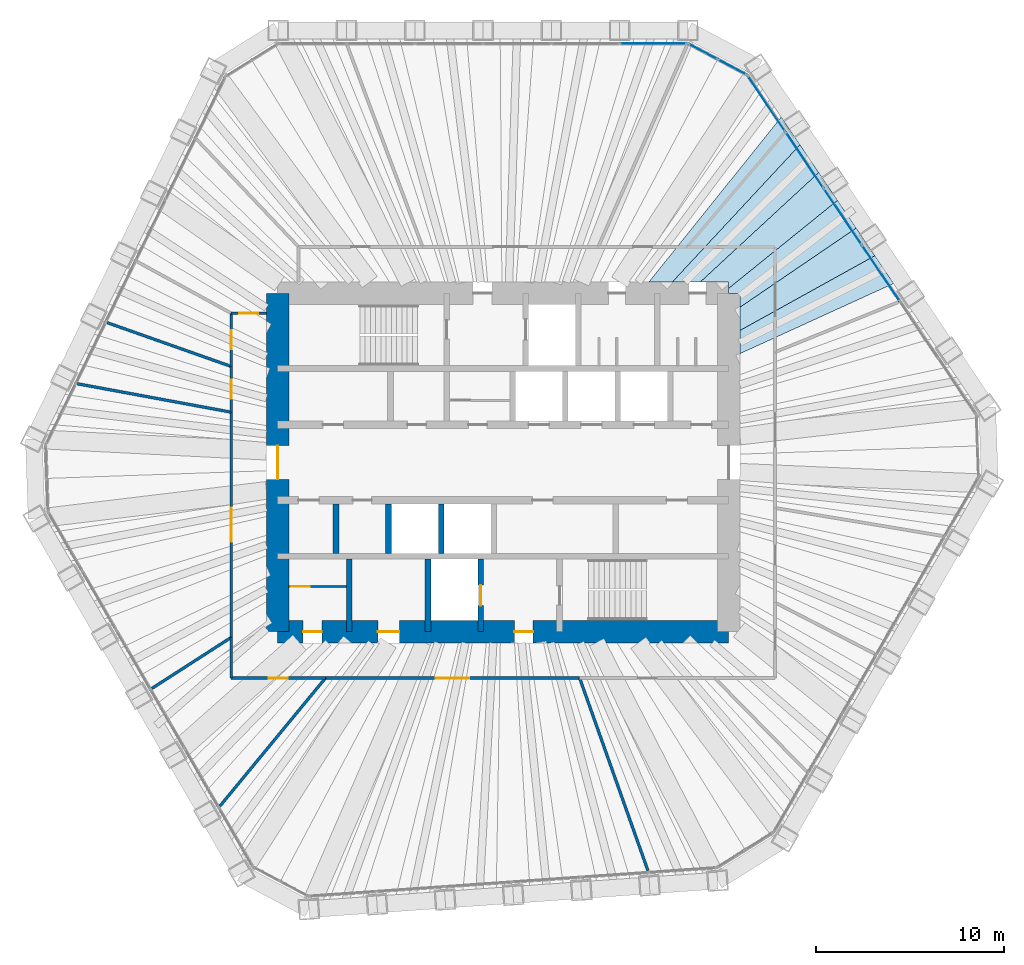
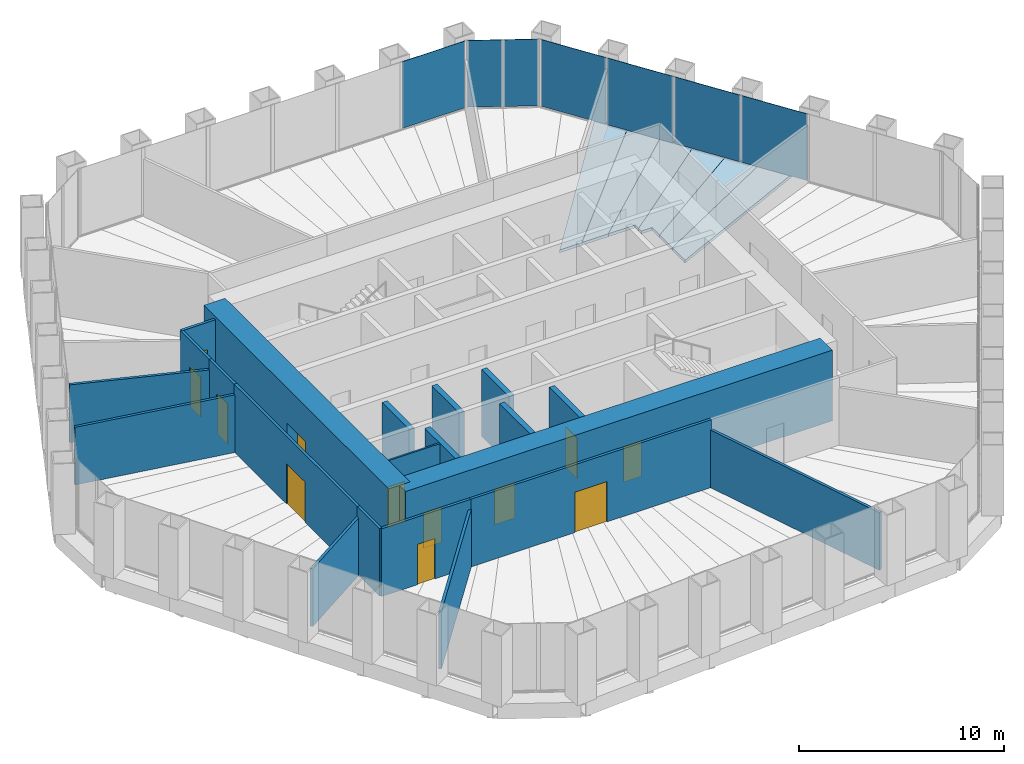
# One storey, part 9 of 12: 21 walls, 12 doors, 7 plates, 6 slabs, 12 openings, 3 elements without a shape of their own.
"""IFC4 building model written with IfcOpenShell, lengths in metres."""

from ifc_helpers import new_model, si_unit, direction, frame, frame_2d, origin, origin_2d, place, context, subcontext, project, spatial, polyline, rectangle, outline, extrude, material, layer, layer_set, type_object, element, fill, aggregate, save


model = new_model("IFC4")

# Units and contexts
model_context = context("Model", 3, precision=1e-05, world=origin(), true_north=direction((0.0, 1.0)))
body_context = subcontext(model_context, "Body", "Model", "MODEL_VIEW")
ifc_project = project(units=[si_unit("LENGTHUNIT", "METRE"), si_unit("AREAUNIT", "SQUARE_METRE"), si_unit("VOLUMEUNIT", "CUBIC_METRE"), si_unit("PLANEANGLEUNIT", "RADIAN"), si_unit("MASSUNIT", "GRAM", prefix="KILO")], contexts=[model_context])

# Site, building, storey
site_placement = place(None, origin())
site = spatial("IfcSite", under=ifc_project, at=site_placement, CompositionType="ELEMENT")
building_placement = place(site_placement, origin())
building = spatial("IfcBuilding", under=site, at=building_placement, Name="Qingtian Harvest Tower", CompositionType="ELEMENT")
storey_placement = place(building_placement, frame((0.0, 0.0, 184.60009765625)))
storey = spatial("IfcBuildingStorey", under=building, at=storey_placement, Name="L39", CompositionType="ELEMENT", Elevation=184.60009765625)

# Slabs
ifc_material_1 = material(Name="Concrete fc' 35 MPa", Category="concrete")
ifc_layer_1 = layer(ifc_material_1, 0.169921875)
ifc_layer_set_1 = layer_set([ifc_layer_1], Name="Composite floor slab FS17 170")
slab_type = type_object("IfcSlabType", Name="Composite floor slab FS17 170", PredefinedType="FLOOR", material=ifc_layer_set_1)
slab_1_placement = place(storey_placement, frame((0.0, 0.0, -0.170166015625)))
element("IfcSlab", 1, at=slab_1_placement, inside=storey, type_object=slab_type, Name="Floor slab L39 panel D45", PredefinedType="FLOOR", context=body_context, shape_type="SweptSolid", body=[
    extrude(outline(polyline([(12.60009765625, 7.023681640625), (19.7841796875, 11.003662109375), (20.780517578125, 9.526611328125), (12.60009765625, 5.7900390625), (12.60009765625, 7.023681640625)])), origin(), (0.0, 0.0, 1.0), 0.170166015625),
])
slab_2_placement = place(storey_placement, frame((0.0, 0.0, -0.170166015625)))
element("IfcSlab", 2, at=slab_2_placement, inside=storey, type_object=slab_type, Name="Floor slab L39 panel D46", PredefinedType="FLOOR", context=body_context, shape_type="SweptSolid", body=[
    extrude(outline(polyline([(12.60009765625, 8.260498046875), (18.791259765625, 12.475830078125), (19.7841796875, 11.003662109375), (12.60009765625, 7.023681640625), (12.60009765625, 8.260498046875)])), origin(), (0.0, 0.0, 1.0), 0.170166015625),
])
slab_3_placement = place(storey_placement, frame((0.0, 0.0, -0.170166015625)))
element("IfcSlab", 3, at=slab_3_placement, inside=storey, type_object=slab_type, Name="Floor slab L39 panel D47", PredefinedType="FLOOR", context=body_context, shape_type="SweptSolid", body=[
    extrude(outline(polyline([(12.60009765625, 9.0), (12.0, 9.0), (12.0, 9.2666015625), (17.795654296875, 13.95166015625), (18.791259765625, 12.475830078125), (12.60009765625, 8.260498046875), (12.60009765625, 9.0)])), origin(), (0.0, 0.0, 1.0), 0.170166015625),
])
slab_4_placement = place(storey_placement, frame((0.0, 0.0, -0.170166015625)))
element("IfcSlab", 4, at=slab_4_placement, inside=storey, type_object=slab_type, Name="Floor slab L39 panel D48", PredefinedType="FLOOR", context=body_context, shape_type="SweptSolid", body=[
    extrude(outline(polyline([(12.0, 9.60009765625), (10.48583984375, 9.60009765625), (16.79638671875, 15.43310546875), (17.795654296875, 13.95166015625), (12.0, 9.2666015625), (12.0, 9.60009765625)])), origin(), (0.0, 0.0, 1.0), 0.170166015625),
])
slab_5_placement = place(storey_placement, frame((0.0, 0.0, -0.170166015625)))
element("IfcSlab", 5, at=slab_5_placement, inside=storey, type_object=slab_type, Name="Floor slab L39 panel D49", PredefinedType="FLOOR", context=body_context, shape_type="SweptSolid", body=[
    extrude(outline(polyline([(8.998291015625, 9.60009765625), (15.800048828125, 16.910400390625), (16.79638671875, 15.43310546875), (10.48583984375, 9.60009765625), (8.998291015625, 9.60009765625)])), origin(), (0.0, 0.0, 1.0), 0.170166015625),
])
slab_6_placement = place(storey_placement, frame((0.0, 0.0, -0.170166015625)))
element("IfcSlab", 6, at=slab_6_placement, inside=storey, type_object=slab_type, Name="Floor slab L39 panel D50", PredefinedType="FLOOR", context=body_context, shape_type="SweptSolid", body=[
    extrude(outline(polyline([(7.751220703125, 9.60009765625), (14.8037109375, 18.3876953125), (15.800048828125, 16.910400390625), (8.998291015625, 9.60009765625), (7.751220703125, 9.60009765625)])), origin(), (0.0, 0.0, 1.0), 0.170166015625),
])

# Curtain wall, plate
ifc_material_2 = material(Name="Bronze-anodised aluminium curtain wall", Category="aluminium")
curtain_wall_type = type_object("IfcCurtainWallType", Name="Curtain wall CW4 office", PredefinedType="USERDEFINED", material=ifc_material_2)
curtain_wall_1_placement = place(storey_placement, origin())
curtain_wall_1 = element("IfcCurtainWall", 7, at=curtain_wall_1_placement, inside=storey, type_object=curtain_wall_type, Name="Curtain wall CW4 L39 N0-5", ObjectType="RECESSED CURTAIN WALL", PredefinedType="USERDEFINED")
ifc_material_3 = material(Name="Bronze-tinted laminated insulating glass", Category="glass")
ifc_layer_2 = layer(ifc_material_3, 0.030029296875)
ifc_layer_set_2 = layer_set([ifc_layer_2], Name="Glazed panel CWP tinted IGU")
plate_type = type_object("IfcPlateType", Name="Glazed panel CWP tinted IGU", PredefinedType="CURTAIN_PANEL", material=ifc_layer_set_2)
plate_1_placement = place(storey_placement, frame((7.996337890625, 22.300048828125, 0.06494140625), z_axis=(0.0, 0.0, 1.0), x_axis=(1.0, 0.0, 0.0)))
plate_1 = element("IfcPlate", 8, at=plate_1_placement, type_object=plate_type, Name="CW4 panel 6.1", PredefinedType="CURTAIN_PANEL", context=body_context, shape_type="SweptSolid", body=[
    extrude(rectangle(XDim=3.5361328125, YDim=0.030029296875, at=origin_2d()), origin(), (0.0, 0.0, 1.0), 3.965087890625),
])
aggregate(curtain_wall_1, [plate_1])

# Curtain wall, plates
curtain_wall_2_placement = place(storey_placement, origin())
curtain_wall_2 = element("IfcCurtainWall", 9, at=curtain_wall_2_placement, inside=storey, type_object=curtain_wall_type, Name="Curtain wall CW4 L39 NC", ObjectType="RECESSED CURTAIN WALL", PredefinedType="USERDEFINED")
plate_2_placement = place(storey_placement, frame((10.634033203125, 21.8720703125, 0.06494140625), z_axis=(0.0, 0.0, 1.0), x_axis=(0.882947592859, -0.469471562786, 0.0)))
plate_2 = element("IfcPlate", 10, at=plate_2_placement, type_object=plate_type, Name="CW4 panel 1.1", PredefinedType="CURTAIN_PANEL", context=body_context, shape_type="SweptSolid", body=[
    extrude(rectangle(XDim=1.69287109375, YDim=0.030029296875, at=origin_2d()), origin(), (0.0, 0.0, 1.0), 3.965087890625),
])
plate_3_placement = place(storey_placement, frame((12.186279296875, 21.046875, 0.06494140625), z_axis=(0.0, 0.0, 1.0), x_axis=(0.882947592859, -0.469471562786, 0.0)))
plate_3 = element("IfcPlate", 11, at=plate_3_placement, type_object=plate_type, Name="CW4 panel 2.1", PredefinedType="CURTAIN_PANEL", context=body_context, shape_type="SweptSolid", body=[
    extrude(rectangle(XDim=1.69287109375, YDim=0.030029296875, at=origin_2d()), origin(), (0.0, 0.0, 1.0), 3.965087890625),
])
aggregate(curtain_wall_2, [plate_2, plate_3])

curtain_wall_3_placement = place(storey_placement, origin())
curtain_wall_3 = element("IfcCurtainWall", 12, at=curtain_wall_3_placement, inside=storey, type_object=curtain_wall_type, Name="Curtain wall CW4 L39 NE0-5", ObjectType="RECESSED CURTAIN WALL", PredefinedType="USERDEFINED")
plate_4_placement = place(storey_placement, frame((14.01611328125, 19.09912109375, 0.06494140625), z_axis=(0.0, 0.0, 1.0), x_axis=(0.559192903471, -0.829037572555, 0.0)))
plate_4 = element("IfcPlate", 13, at=plate_4_placement, type_object=plate_type, Name="CW4 panel 1.1", PredefinedType="CURTAIN_PANEL", context=body_context, shape_type="SweptSolid", body=[
    extrude(rectangle(XDim=3.5361328125, YDim=0.030029296875, at=origin_2d()), origin(), (0.0, 0.0, 1.0), 3.965087890625),
])
plate_5_placement = place(storey_placement, frame((16.038818359375, 16.100341796875, 0.06494140625), z_axis=(0.0, 0.0, 1.0), x_axis=(0.559192903471, -0.829037572555, 0.0)))
plate_5 = element("IfcPlate", 14, at=plate_5_placement, type_object=plate_type, Name="CW4 panel 2.1", PredefinedType="CURTAIN_PANEL", context=body_context, shape_type="SweptSolid", body=[
    extrude(rectangle(XDim=3.568603515625, YDim=0.030029296875, at=origin_2d()), origin(), (0.0, 0.0, 1.0), 3.965087890625),
])
plate_6_placement = place(storey_placement, frame((18.07080078125, 13.087890625, 0.06494140625), z_axis=(0.0, 0.0, 1.0), x_axis=(0.559192903471, -0.829037572555, 0.0)))
plate_6 = element("IfcPlate", 15, at=plate_6_placement, type_object=plate_type, Name="CW4 panel 3.1", PredefinedType="CURTAIN_PANEL", context=body_context, shape_type="SweptSolid", body=[
    extrude(rectangle(XDim=3.568603515625, YDim=0.030029296875, at=origin_2d()), origin(), (0.0, 0.0, 1.0), 3.965087890625),
])
plate_7_placement = place(storey_placement, frame((20.1025390625, 10.07568359375, 0.06494140625), z_axis=(0.0, 0.0, 1.0), x_axis=(0.559192903471, -0.829037572555, 0.0)))
plate_7 = element("IfcPlate", 16, at=plate_7_placement, type_object=plate_type, Name="CW4 panel 4.1", PredefinedType="CURTAIN_PANEL", context=body_context, shape_type="SweptSolid", body=[
    extrude(rectangle(XDim=3.568603515625, YDim=0.030029296875, at=origin_2d()), origin(), (0.0, 0.0, 1.0), 3.965087890625),
])
aggregate(curtain_wall_3, [plate_4, plate_5, plate_6, plate_7])

# Walls
ifc_material_4 = material(Name="Precast concrete shaft panel", Category="concrete")
ifc_layer_3 = layer(ifc_material_4, 0.300048828125)
ifc_layer_set_3 = layer_set([ifc_layer_3], Name="Core shaft partition SW1 300")
wall_type_1 = type_object("IfcWallType", Name="Core shaft partition SW1 300", PredefinedType="PARTITIONING", material=ifc_layer_set_3)
for number, where, z_axis, x_axis, name in (
    (17, (-8.89990234375, -4.85009765625, 0.0), (0.0, 0.0, 1.0), (0.0, 1.0, 0.0), "Core shaft partition XB1 L39"),
    (18, (-6.10009765625, -4.85009765625, 0.0), (0.0, 0.0, 1.0), (0.0, 1.0, 0.0), "Core shaft partition XB2 L39"),
    (19, (-3.300048828125, -4.85009765625, 0.0), (0.0, 0.0, 1.0), (0.0, 1.0, 0.0), "Core shaft partition XB3 L39"),
):
    element("IfcWall", number, at=place(storey_placement, frame(where, z_axis=z_axis, x_axis=x_axis)), inside=storey, type_object=wall_type_1, Name=name, PredefinedType="PARTITIONING", context=body_context, shape_type="SweptSolid", body=[
        extrude(rectangle(XDim=2.650146484375, YDim=0.300048828125, at=frame_2d((1.3251953125, 0.0))), origin(), (0.0, 0.0, 1.0), 3.97998046875),
    ])
for number, where, z_axis, x_axis, name in (
    (20, (-8.199951171875, -9.0, 0.0), (0.0, 0.0, 1.0), (0.0, 1.0, 0.0), "Core shaft partition XS1 L39"),
    (21, (-4.0, -9.0, 0.0), (0.0, 0.0, 1.0), (0.0, 1.0, 0.0), "Core shaft partition XS2 L39"),
):
    element("IfcWall", number, at=place(storey_placement, frame(where, z_axis=z_axis, x_axis=x_axis)), inside=storey, type_object=wall_type_1, Name=name, PredefinedType="PARTITIONING", context=body_context, shape_type="SweptSolid", body=[
        extrude(rectangle(XDim=3.85009765625, YDim=0.300048828125, at=frame_2d((1.925048828125, 0.0))), origin(), (0.0, 0.0, 1.0), 3.97998046875),
    ])

# Wall, opening, door
wall_1_placement = place(storey_placement, frame((-1.199951171875, -9.0, 0.0), z_axis=(0.0, 0.0, 1.0), x_axis=(0.0, 1.0, 0.0)))
wall_1 = element("IfcWall", 22, at=wall_1_placement, inside=storey, type_object=wall_type_1, Name="Core shaft partition XS3 L39", PredefinedType="PARTITIONING", context=body_context, shape_type="SweptSolid", body=[
    extrude(rectangle(XDim=3.85009765625, YDim=0.300048828125, at=frame_2d((1.925048828125, 0.0))), origin(), (0.0, 0.0, 1.0), 3.97998046875),
])
opening_1_placement = place(wall_1_placement, frame((1.375, 0.0, 0.0)))
opening_1 = element("IfcOpeningElement", 23, at=opening_1_placement, cuts=wall_1, Name="Opening LD1", PredefinedType="OPENING", context=body_context, shape_type="SweptSolid", body=[
    extrude(rectangle(XDim=1.10009765625, YDim=2.39990234375, at=frame_2d((0.550048828125, 1.199951171875))), frame((0.0, 0.159912109375, 0.0), z_axis=(0.0, -1.0, 0.0), x_axis=(1.0, 0.0, 0.0)), (0.0, 0.0, 1.0), 0.320068359375),
])
ifc_material_5 = material(Name="Stainless steel lift landing door", Category="steel")
door_type_1 = type_object("IfcDoorType", Name="Lift landing door LD1 1 HR", OperationType="DOUBLE_DOOR_SLIDING", PredefinedType="DOOR", material=ifc_material_5)
door_1_placement = place(opening_1_placement, origin())
door_1 = element("IfcDoor", 24, at=door_1_placement, inside=storey, type_object=door_type_1, Name="FL2 landing door L39", OperationType="DOUBLE_DOOR_SLIDING", OverallHeight=2.39990234375, OverallWidth=1.10009765625, PredefinedType="DOOR", context=body_context, shape_type="SweptSolid", body=[
    extrude(rectangle(XDim=1.10009765625, YDim=2.39990234375, at=frame_2d((0.550048828125, 1.199951171875))), frame((0.0, 0.02490234375, 0.0), z_axis=(0.0, -1.0, 0.0), x_axis=(1.0, 0.0, 0.0)), (0.0, 0.0, 1.0), 0.050048828125),
])
fill(opening_1, door_1)

# Wall, openings, doors
ifc_material_6 = material(Name="Concrete fc' 70 MPa", Category="concrete")
ifc_layer_4 = layer(ifc_material_6, 1.199951171875)
ifc_layer_set_4 = layer_set([ifc_layer_4], Name="Core wall RC2 1200")
wall_type_2 = type_object("IfcWallType", Name="Core wall RC2 1200", PredefinedType="SHEAR", material=ifc_layer_set_4)
wall_2_placement = place(storey_placement, frame((-12.0, -9.0, 0.0), z_axis=(0.0, 0.0, 1.0), x_axis=(1.0, 0.0, 0.0)))
wall_2 = element("IfcWall", 25, at=wall_2_placement, inside=storey, type_object=wall_type_2, Name="Core wall CS L39", PredefinedType="SHEAR", context=body_context, shape_type="SweptSolid", body=[
    extrude(rectangle(XDim=24.0, YDim=1.199951171875, at=frame_2d((12.0, 0.0))), origin(), (0.0, 0.0, 1.0), 4.199951171875),
])
opening_2_placement = place(wall_2_placement, frame((1.35009765625, 0.0, 0.0)))
opening_2 = element("IfcOpeningElement", 26, at=opening_2_placement, cuts=wall_2, Name="Opening FD1", PredefinedType="OPENING", context=body_context, shape_type="SweptSolid", body=[
    extrude(rectangle(XDim=1.0, YDim=2.10009765625, at=frame_2d((0.5, 1.050048828125))), frame((0.0, 0.60986328125, 0.0), z_axis=(0.0, -1.0, 0.0), x_axis=(1.0, 0.0, 0.0)), (0.0, 0.0, 1.0), 1.219970703125),
])
opening_3_placement = place(wall_2_placement, frame((5.324951171875, 0.0, 0.0)))
opening_3 = element("IfcOpeningElement", 27, at=opening_3_placement, cuts=wall_2, Name="Opening AD1", PredefinedType="OPENING", context=body_context, shape_type="SweptSolid", body=[
    extrude(rectangle(XDim=1.14990234375, YDim=2.10009765625, at=frame_2d((0.574951171875, 1.050048828125))), frame((0.0, 0.60986328125, 0.0), z_axis=(0.0, -1.0, 0.0), x_axis=(1.0, 0.0, 0.0)), (0.0, 0.0, 1.0), 1.219970703125),
])
opening_4_placement = place(wall_2_placement, frame((12.60009765625, 0.0, 0.0)))
opening_4 = element("IfcOpeningElement", 28, at=opening_4_placement, cuts=wall_2, Name="Opening FD1", PredefinedType="OPENING", context=body_context, shape_type="SweptSolid", body=[
    extrude(rectangle(XDim=1.0, YDim=2.10009765625, at=frame_2d((0.5, 1.050048828125))), frame((0.0, 0.60986328125, 0.0), z_axis=(0.0, -1.0, 0.0), x_axis=(1.0, 0.0, 0.0)), (0.0, 0.0, 1.0), 1.219970703125),
])
ifc_material_7 = material(Name="Laminated timber door leaf", Category="wood")
door_type_2 = type_object("IfcDoorType", Name="Accessible WC door AD1 single", OperationType="SINGLE_SWING_LEFT", PredefinedType="DOOR", material=ifc_material_7)
door_2_placement = place(opening_3_placement, origin())
door_2 = element("IfcDoor", 29, at=door_2_placement, inside=storey, type_object=door_type_2, Name="AWC door L39", OperationType="SINGLE_SWING_LEFT", OverallHeight=2.10009765625, OverallWidth=1.14990234375, PredefinedType="DOOR", context=body_context, shape_type="SweptSolid", body=[
    extrude(rectangle(XDim=1.14990234375, YDim=2.10009765625, at=frame_2d((0.574951171875, 1.050048828125))), frame((0.0, 0.02490234375, 0.0), z_axis=(0.0, -1.0, 0.0), x_axis=(1.0, 0.0, 0.0)), (0.0, 0.0, 1.0), 0.050048828125),
])
fill(opening_3, door_2)
ifc_material_8 = material(Name="Steel-faced door leaf", Category="steel")
door_type_3 = type_object("IfcDoorType", Name="Fire door FD1 single 1 HR", OperationType="SINGLE_SWING_LEFT", PredefinedType="DOOR", material=ifc_material_8)
door_3_placement = place(opening_2_placement, origin())
door_3 = element("IfcDoor", 30, at=door_3_placement, inside=storey, type_object=door_type_3, Name="CLN door L39", OperationType="SINGLE_SWING_LEFT", OverallHeight=2.10009765625, OverallWidth=1.0, PredefinedType="DOOR", context=body_context, shape_type="SweptSolid", body=[
    extrude(rectangle(XDim=1.0, YDim=2.10009765625, at=frame_2d((0.5, 1.050048828125))), frame((0.0, 0.02490234375, 0.0), z_axis=(0.0, -1.0, 0.0), x_axis=(1.0, 0.0, 0.0)), (0.0, 0.0, 1.0), 0.050048828125),
])
fill(opening_2, door_3)
door_4_placement = place(opening_4_placement, origin())
door_4 = element("IfcDoor", 31, at=door_4_placement, inside=storey, type_object=door_type_3, Name="V2 door L39", OperationType="SINGLE_SWING_LEFT", OverallHeight=2.10009765625, OverallWidth=1.0, PredefinedType="DOOR", context=body_context, shape_type="SweptSolid", body=[
    extrude(rectangle(XDim=1.0, YDim=2.10009765625, at=frame_2d((0.5, 1.050048828125))), frame((0.0, 0.02490234375, 0.0), z_axis=(0.0, -1.0, 0.0), x_axis=(1.0, 0.0, 0.0)), (0.0, 0.0, 1.0), 0.050048828125),
])
fill(opening_4, door_4)

# Wall, opening, door
wall_3_placement = place(storey_placement, frame((-12.0, -9.0, 0.0), z_axis=(0.0, 0.0, 1.0), x_axis=(0.0, 1.0, 0.0)))
wall_3 = element("IfcWall", 32, at=wall_3_placement, inside=storey, type_object=wall_type_2, Name="Core wall CW L39", PredefinedType="SHEAR", context=body_context, shape_type="SweptSolid", body=[
    extrude(rectangle(XDim=18.0, YDim=1.199951171875, at=frame_2d((9.0, 0.0))), origin(), (0.0, 0.0, 1.0), 4.199951171875),
])
opening_5_placement = place(wall_3_placement, frame((8.10009765625, 0.0, 0.0)))
opening_5 = element("IfcOpeningElement", 33, at=opening_5_placement, cuts=wall_3, Name="Opening FD2", PredefinedType="OPENING", context=body_context, shape_type="SweptSolid", body=[
    extrude(rectangle(XDim=1.800048828125, YDim=2.10009765625, at=frame_2d((0.89990234375, 1.050048828125))), frame((0.0, 0.60986328125, 0.0), z_axis=(0.0, -1.0, 0.0), x_axis=(1.0, 0.0, 0.0)), (0.0, 0.0, 1.0), 1.219970703125),
])
ifc_material_9 = material(Name="Steel-faced door leaf", Category="steel")
door_type_4 = type_object("IfcDoorType", Name="Fire door FD2 double 1 HR", OperationType="DOUBLE_DOOR_DOUBLE_SWING", PredefinedType="DOOR", material=ifc_material_9)
door_5_placement = place(opening_5_placement, origin())
door_5 = element("IfcDoor", 34, at=door_5_placement, inside=storey, type_object=door_type_4, Name="LOBBY-W door L39", OperationType="DOUBLE_DOOR_DOUBLE_SWING", OverallHeight=2.10009765625, OverallWidth=1.800048828125, PredefinedType="DOOR", context=body_context, shape_type="SweptSolid", body=[
    extrude(rectangle(XDim=1.800048828125, YDim=2.10009765625, at=frame_2d((0.89990234375, 1.050048828125))), frame((0.0, 0.02490234375, 0.0), z_axis=(0.0, -1.0, 0.0), x_axis=(1.0, 0.0, 0.0)), (0.0, 0.0, 1.0), 0.050048828125),
])
fill(opening_5, door_5)

# Wall
ifc_material_10 = material(Name="Gypsum board on steel studs", Category="steel")
ifc_layer_5 = layer(ifc_material_10, 0.14990234375)
ifc_layer_set_5 = layer_set([ifc_layer_5], Name="Partition PT1 150")
wall_type_3 = type_object("IfcWallType", Name="Partition PT1 150", PredefinedType="PARTITIONING", material=ifc_layer_set_5)
wall_4_placement = place(storey_placement, frame((-22.660888671875, 4.188720703125, 0.0), z_axis=(0.0, 0.0, 1.0), x_axis=(0.983345347199, -0.181746879316, 0.0)))
element("IfcWall", 35, at=wall_4_placement, inside=storey, type_object=wall_type_3, Name="Private office wall L39", PredefinedType="PARTITIONING", context=body_context, shape_type="SweptSolid", body=[
    extrude(rectangle(XDim=8.324462890625, YDim=0.14990234375, at=frame_2d((4.162109375, 0.0))), origin(), (0.0, 0.0, 1.0), 3.429931640625),
])

# Wall, opening, door
wall_5_placement = place(storey_placement, frame((-14.47509765625, 2.67578125, 0.0), z_axis=(0.0, 0.0, 1.0), x_axis=(0.0, 1.0, 0.0)))
wall_5 = element("IfcWall", 36, at=wall_5_placement, inside=storey, type_object=wall_type_3, Name="Private office wall L39", PredefinedType="PARTITIONING", context=body_context, shape_type="SweptSolid", body=[
    extrude(rectangle(XDim=2.4345703125, YDim=0.14990234375, at=frame_2d((1.21728515625, 0.0))), origin(), (0.0, 0.0, 1.0), 4.02978515625),
])
opening_6_placement = place(wall_5_placement, frame((0.71728515625, 0.0, 0.0)))
opening_6 = element("IfcOpeningElement", 37, at=opening_6_placement, cuts=wall_5, Name="Opening D2", PredefinedType="OPENING", context=body_context, shape_type="SweptSolid", body=[
    extrude(rectangle(XDim=1.0, YDim=2.39990234375, at=frame_2d((0.5, 1.199951171875))), frame((0.0, 0.0849609375, 0.0), z_axis=(0.0, -1.0, 0.0), x_axis=(1.0, 0.0, 0.0)), (0.0, 0.0, 1.0), 0.169921875),
])
ifc_material_11 = material(Name="Laminated timber door leaf", Category="wood")
door_type_5 = type_object("IfcDoorType", Name="Room door D2 single", OperationType="SINGLE_SWING_LEFT", PredefinedType="DOOR", material=ifc_material_11)
door_6_placement = place(opening_6_placement, origin())
door_6 = element("IfcDoor", 38, at=door_6_placement, inside=storey, type_object=door_type_5, Name="Private office door L39", OperationType="SINGLE_SWING_RIGHT", OverallHeight=2.39990234375, OverallWidth=1.0, PredefinedType="DOOR", context=body_context, shape_type="SweptSolid", body=[
    extrude(rectangle(XDim=1.0, YDim=2.39990234375, at=frame_2d((0.5, 1.199951171875))), frame((0.0, 0.02490234375, 0.0), z_axis=(0.0, -1.0, 0.0), x_axis=(1.0, 0.0, 0.0)), (0.0, 0.0, 1.0), 0.050048828125),
])
fill(opening_6, door_6)

# Wall
wall_6_placement = place(storey_placement, frame((-21.072021484375, 7.439453125, 0.0), z_axis=(0.0, 0.0, 1.0), x_axis=(0.94295553867, -0.332918686907, 0.0)))
element("IfcWall", 39, at=wall_6_placement, inside=storey, type_object=wall_type_3, Name="Private office wall L39", PredefinedType="PARTITIONING", context=body_context, shape_type="SweptSolid", body=[
    extrude(rectangle(XDim=6.99609375, YDim=0.14990234375, at=frame_2d((3.498046875, 0.0))), origin(), (0.0, 0.0, 1.0), 3.429931640625),
])

# Wall, opening, door
wall_7_placement = place(storey_placement, frame((-14.47509765625, 5.1103515625, 0.0), z_axis=(0.0, 0.0, 1.0), x_axis=(0.0, 1.0, 0.0)))
wall_7 = element("IfcWall", 40, at=wall_7_placement, inside=storey, type_object=wall_type_3, Name="Private office wall L39", PredefinedType="PARTITIONING", context=body_context, shape_type="SweptSolid", body=[
    extrude(rectangle(XDim=2.8310546875, YDim=0.14990234375, at=frame_2d((1.41552734375, 0.0))), origin(), (0.0, 0.0, 1.0), 4.02978515625),
])
opening_7_placement = place(wall_7_placement, frame((0.91552734375, 0.0, 0.0)))
opening_7 = element("IfcOpeningElement", 41, at=opening_7_placement, cuts=wall_7, Name="Opening D2", PredefinedType="OPENING", context=body_context, shape_type="SweptSolid", body=[
    extrude(rectangle(XDim=1.0, YDim=2.39990234375, at=frame_2d((0.5, 1.199951171875))), frame((0.0, 0.0849609375, 0.0), z_axis=(0.0, -1.0, 0.0), x_axis=(1.0, 0.0, 0.0)), (0.0, 0.0, 1.0), 0.169921875),
])
door_7_placement = place(opening_7_placement, origin())
door_7 = element("IfcDoor", 42, at=door_7_placement, inside=storey, type_object=door_type_5, Name="Private office door L39", OperationType="SINGLE_SWING_LEFT", OverallHeight=2.39990234375, OverallWidth=1.0, PredefinedType="DOOR", context=body_context, shape_type="SweptSolid", body=[
    extrude(rectangle(XDim=1.0, YDim=2.39990234375, at=frame_2d((0.5, 1.199951171875))), frame((0.0, 0.02490234375, 0.0), z_axis=(0.0, -1.0, 0.0), x_axis=(1.0, 0.0, 0.0)), (0.0, 0.0, 1.0), 0.050048828125),
])
fill(opening_7, door_7)

wall_8_placement = place(storey_placement, frame((-14.47509765625, 7.94140625, 0.0), z_axis=(0.0, 0.0, 1.0), x_axis=(1.0, 0.0, 0.0)))
wall_8 = element("IfcWall", 43, at=wall_8_placement, inside=storey, type_object=wall_type_3, Name="Huddle room wall L39", PredefinedType="PARTITIONING", context=body_context, shape_type="SweptSolid", body=[
    extrude(rectangle(XDim=1.875, YDim=0.14990234375, at=frame_2d((0.9375, 0.0))), origin(), (0.0, 0.0, 1.0), 4.02978515625),
])
opening_8_placement = place(wall_8_placement, frame((0.4375, 0.0, 0.0)))
opening_8 = element("IfcOpeningElement", 44, at=opening_8_placement, cuts=wall_8, Name="Opening D2", PredefinedType="OPENING", context=body_context, shape_type="SweptSolid", body=[
    extrude(rectangle(XDim=1.0, YDim=2.39990234375, at=frame_2d((0.5, 1.199951171875))), frame((0.0, 0.0849609375, 0.0), z_axis=(0.0, -1.0, 0.0), x_axis=(1.0, 0.0, 0.0)), (0.0, 0.0, 1.0), 0.169921875),
])
door_8_placement = place(opening_8_placement, origin())
door_8 = element("IfcDoor", 45, at=door_8_placement, inside=storey, type_object=door_type_5, Name="Huddle room door L39", OperationType="SINGLE_SWING_LEFT", OverallHeight=2.39990234375, OverallWidth=1.0, PredefinedType="DOOR", context=body_context, shape_type="SweptSolid", body=[
    extrude(rectangle(XDim=1.0, YDim=2.39990234375, at=frame_2d((0.5, 1.199951171875))), frame((0.0, 0.02490234375, 0.0), z_axis=(0.0, -1.0, 0.0), x_axis=(1.0, 0.0, 0.0)), (0.0, 0.0, 1.0), 0.050048828125),
])
fill(opening_8, door_8)

# Wall
wall_9_placement = place(storey_placement, frame((7.702880859375, -21.71923828125, 0.0), z_axis=(0.0, 0.0, 1.0), x_axis=(-0.334269551553, 0.942477515331, 0.0)))
element("IfcWall", 46, at=wall_9_placement, inside=storey, type_object=wall_type_3, Name="Workplace zone wall L39", PredefinedType="PARTITIONING", context=body_context, shape_type="SweptSolid", body=[
    extrude(rectangle(XDim=10.869384765625, YDim=0.14990234375, at=frame_2d((5.4345703125, 0.0))), origin(), (0.0, 0.0, 1.0), 3.429931640625),
])

# Wall, opening, door
wall_10_placement = place(storey_placement, frame((4.069580078125, -11.47509765625, 0.0), z_axis=(0.0, 0.0, 1.0), x_axis=(-1.0, 0.0, 0.0)))
wall_10 = element("IfcWall", 47, at=wall_10_placement, inside=storey, type_object=wall_type_3, Name="Workplace zone wall L39", PredefinedType="PARTITIONING", context=body_context, shape_type="SweptSolid", body=[
    extrude(rectangle(XDim=13.5283203125, YDim=0.14990234375, at=frame_2d((6.76416015625, 0.0))), origin(), (0.0, 0.0, 1.0), 4.02978515625),
])
opening_9_placement = place(wall_10_placement, frame((5.8642578125, 0.0, 0.0)))
opening_9 = element("IfcOpeningElement", 48, at=opening_9_placement, cuts=wall_10, Name="Opening D3", PredefinedType="OPENING", context=body_context, shape_type="SweptSolid", body=[
    extrude(rectangle(XDim=1.800048828125, YDim=2.39990234375, at=frame_2d((0.89990234375, 1.199951171875))), frame((0.0, 0.0849609375, 0.0), z_axis=(0.0, -1.0, 0.0), x_axis=(1.0, 0.0, 0.0)), (0.0, 0.0, 1.0), 0.169921875),
])
ifc_material_12 = material(Name="Laminated timber door leaf", Category="wood")
door_type_6 = type_object("IfcDoorType", Name="Room door D3 double", OperationType="DOUBLE_DOOR_DOUBLE_SWING", PredefinedType="DOOR", material=ifc_material_12)
door_9_placement = place(opening_9_placement, origin())
door_9 = element("IfcDoor", 49, at=door_9_placement, inside=storey, type_object=door_type_6, Name="Workplace zone door L39", OperationType="DOUBLE_DOOR_DOUBLE_SWING", OverallHeight=2.39990234375, OverallWidth=1.800048828125, PredefinedType="DOOR", context=body_context, shape_type="SweptSolid", body=[
    extrude(rectangle(XDim=1.800048828125, YDim=2.39990234375, at=frame_2d((0.89990234375, 1.199951171875))), frame((0.0, 0.02490234375, 0.0), z_axis=(0.0, -1.0, 0.0), x_axis=(1.0, 0.0, 0.0)), (0.0, 0.0, 1.0), 0.050048828125),
])
fill(opening_9, door_9)

# Wall
wall_11_placement = place(storey_placement, frame((-15.07958984375, -18.294189453125, 0.0), z_axis=(0.0, 0.0, 1.0), x_axis=(0.636052894953, 0.771645459277, 0.0)))
element("IfcWall", 50, at=wall_11_placement, inside=storey, type_object=wall_type_3, Name="Huddle room wall L39", PredefinedType="PARTITIONING", context=body_context, shape_type="SweptSolid", body=[
    extrude(rectangle(XDim=8.837158203125, YDim=0.14990234375, at=frame_2d((4.41845703125, 0.0))), origin(), (0.0, 0.0, 1.0), 3.429931640625),
])

# Wall, opening, door
wall_12_placement = place(storey_placement, frame((-9.458740234375, -11.47509765625, 0.0), z_axis=(0.0, 0.0, 1.0), x_axis=(-1.0, 0.0, 0.0)))
wall_12 = element("IfcWall", 51, at=wall_12_placement, inside=storey, type_object=wall_type_3, Name="Huddle room wall L39", PredefinedType="PARTITIONING", context=body_context, shape_type="SweptSolid", body=[
    extrude(rectangle(XDim=5.016357421875, YDim=0.14990234375, at=frame_2d((2.50830078125, 0.0))), origin(), (0.0, 0.0, 1.0), 4.02978515625),
])
opening_10_placement = place(wall_12_placement, frame((2.00830078125, 0.0, 0.0)))
opening_10 = element("IfcOpeningElement", 52, at=opening_10_placement, cuts=wall_12, Name="Opening D2", PredefinedType="OPENING", context=body_context, shape_type="SweptSolid", body=[
    extrude(rectangle(XDim=1.0, YDim=2.39990234375, at=frame_2d((0.5, 1.199951171875))), frame((0.0, 0.0849609375, 0.0), z_axis=(0.0, -1.0, 0.0), x_axis=(1.0, 0.0, 0.0)), (0.0, 0.0, 1.0), 0.169921875),
])
door_10_placement = place(opening_10_placement, origin())
door_10 = element("IfcDoor", 53, at=door_10_placement, inside=storey, type_object=door_type_5, Name="Huddle room door L39", OperationType="SINGLE_SWING_LEFT", OverallHeight=2.39990234375, OverallWidth=1.0, PredefinedType="DOOR", context=body_context, shape_type="SweptSolid", body=[
    extrude(rectangle(XDim=1.0, YDim=2.39990234375, at=frame_2d((0.5, 1.199951171875))), frame((0.0, 0.02490234375, 0.0), z_axis=(0.0, -1.0, 0.0), x_axis=(1.0, 0.0, 0.0)), (0.0, 0.0, 1.0), 0.050048828125),
])
fill(opening_10, door_10)

# Walls
wall_13_placement = place(storey_placement, frame((-14.47509765625, -11.47509765625, 0.0), z_axis=(0.0, 0.0, 1.0), x_axis=(0.0, 1.0, 0.0)))
element("IfcWall", 54, at=wall_13_placement, inside=storey, type_object=wall_type_3, Name="Huddle room wall L39", PredefinedType="PARTITIONING", context=body_context, shape_type="SweptSolid", body=[
    extrude(rectangle(XDim=2.164306640625, YDim=0.14990234375, at=frame_2d((1.08203125, 0.0))), origin(), (0.0, 0.0, 1.0), 4.02978515625),
])
wall_14_placement = place(storey_placement, frame((-18.692626953125, -12.023681640625, 0.0), z_axis=(0.0, 0.0, 1.0), x_axis=(0.841031335058, 0.540986407824, 0.0)))
element("IfcWall", 55, at=wall_14_placement, inside=storey, type_object=wall_type_3, Name="Workplace zone wall L39", PredefinedType="PARTITIONING", context=body_context, shape_type="SweptSolid", body=[
    extrude(rectangle(XDim=5.0146484375, YDim=0.14990234375, at=frame_2d((2.50732421875, 0.0))), origin(), (0.0, 0.0, 1.0), 3.429931640625),
])

# Wall, opening, door
wall_15_placement = place(storey_placement, frame((-14.47509765625, -9.310791015625, 0.0), z_axis=(0.0, 0.0, 1.0), x_axis=(0.0, 1.0, 0.0)))
wall_15 = element("IfcWall", 56, at=wall_15_placement, inside=storey, type_object=wall_type_3, Name="Workplace zone wall L39", PredefinedType="PARTITIONING", context=body_context, shape_type="SweptSolid", body=[
    extrude(rectangle(XDim=11.986572265625, YDim=0.14990234375, at=frame_2d((5.9931640625, 0.0))), origin(), (0.0, 0.0, 1.0), 4.02978515625),
])
opening_11_placement = place(wall_15_placement, frame((5.09326171875, 0.0, 0.0)))
opening_11 = element("IfcOpeningElement", 57, at=opening_11_placement, cuts=wall_15, Name="Opening D3", PredefinedType="OPENING", context=body_context, shape_type="SweptSolid", body=[
    extrude(rectangle(XDim=1.800048828125, YDim=2.39990234375, at=frame_2d((0.89990234375, 1.199951171875))), frame((0.0, 0.0849609375, 0.0), z_axis=(0.0, -1.0, 0.0), x_axis=(1.0, 0.0, 0.0)), (0.0, 0.0, 1.0), 0.169921875),
])
door_11_placement = place(opening_11_placement, origin())
door_11 = element("IfcDoor", 58, at=door_11_placement, inside=storey, type_object=door_type_6, Name="Workplace zone door L39", OperationType="DOUBLE_DOOR_DOUBLE_SWING", OverallHeight=2.39990234375, OverallWidth=1.800048828125, PredefinedType="DOOR", context=body_context, shape_type="SweptSolid", body=[
    extrude(rectangle(XDim=1.800048828125, YDim=2.39990234375, at=frame_2d((0.89990234375, 1.199951171875))), frame((0.0, 0.02490234375, 0.0), z_axis=(0.0, -1.0, 0.0), x_axis=(1.0, 0.0, 0.0)), (0.0, 0.0, 1.0), 0.050048828125),
])
fill(opening_11, door_11)

ifc_material_13 = material(Name="Concrete block partition", Category="concrete")
ifc_layer_6 = layer(ifc_material_13, 0.10009765625)
ifc_layer_set_6 = layer_set([ifc_layer_6], Name="Store partition PT3 100")
wall_type_4 = type_object("IfcWallType", Name="Store partition PT3 100", PredefinedType="PARTITIONING", material=ifc_layer_set_6)
wall_16_placement = place(storey_placement, frame((-11.39990234375, -6.60009765625, 0.0), z_axis=(0.0, 0.0, 1.0), x_axis=(1.0, 0.0, 0.0)))
wall_16 = element("IfcWall", 59, at=wall_16_placement, inside=storey, type_object=wall_type_4, Name="Waste store wall L39", PredefinedType="PARTITIONING", context=body_context, shape_type="SweptSolid", body=[
    extrude(rectangle(XDim=3.0498046875, YDim=0.10009765625, at=frame_2d((1.52490234375, 0.0))), origin(), (0.0, 0.0, 1.0), 3.97998046875),
])
opening_12_placement = place(wall_16_placement, frame((0.10009765625, 0.0, 0.0)))
opening_12 = element("IfcOpeningElement", 60, at=opening_12_placement, cuts=wall_16, Name="Opening D2", PredefinedType="OPENING", context=body_context, shape_type="SweptSolid", body=[
    extrude(rectangle(XDim=1.0, YDim=2.39990234375, at=frame_2d((0.5, 1.199951171875))), frame((0.0, 0.06005859375, 0.0), z_axis=(0.0, -1.0, 0.0), x_axis=(1.0, 0.0, 0.0)), (0.0, 0.0, 1.0), 0.1201171875),
])
door_12_placement = place(opening_12_placement, origin())
door_12 = element("IfcDoor", 61, at=door_12_placement, inside=storey, type_object=door_type_5, Name="Waste store door L39", OperationType="SINGLE_SWING_LEFT", OverallHeight=2.39990234375, OverallWidth=1.0, PredefinedType="DOOR", context=body_context, shape_type="SweptSolid", body=[
    extrude(rectangle(XDim=1.0, YDim=2.39990234375, at=frame_2d((0.5, 1.199951171875))), frame((0.0, 0.02490234375, 0.0), z_axis=(0.0, -1.0, 0.0), x_axis=(1.0, 0.0, 0.0)), (0.0, 0.0, 1.0), 0.050048828125),
])
fill(opening_12, door_12)

save(model, "model.ifc")
